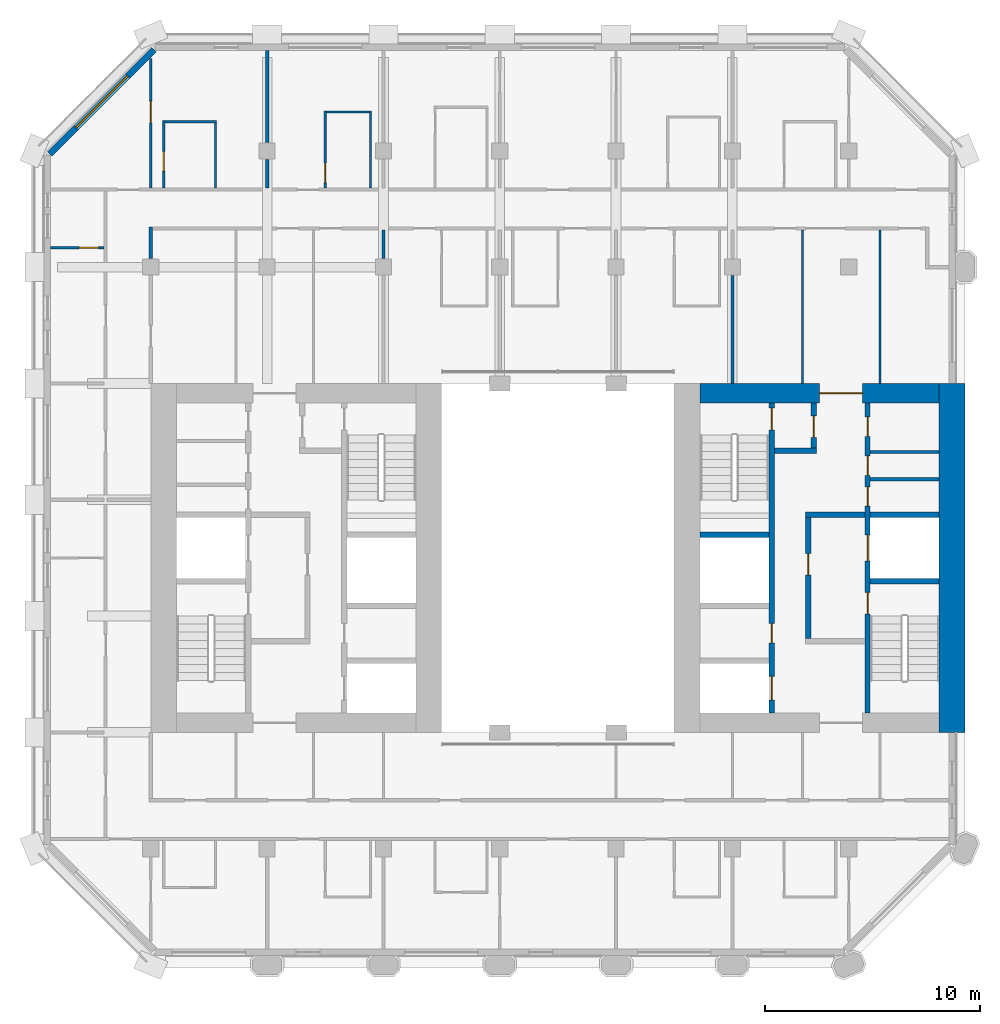
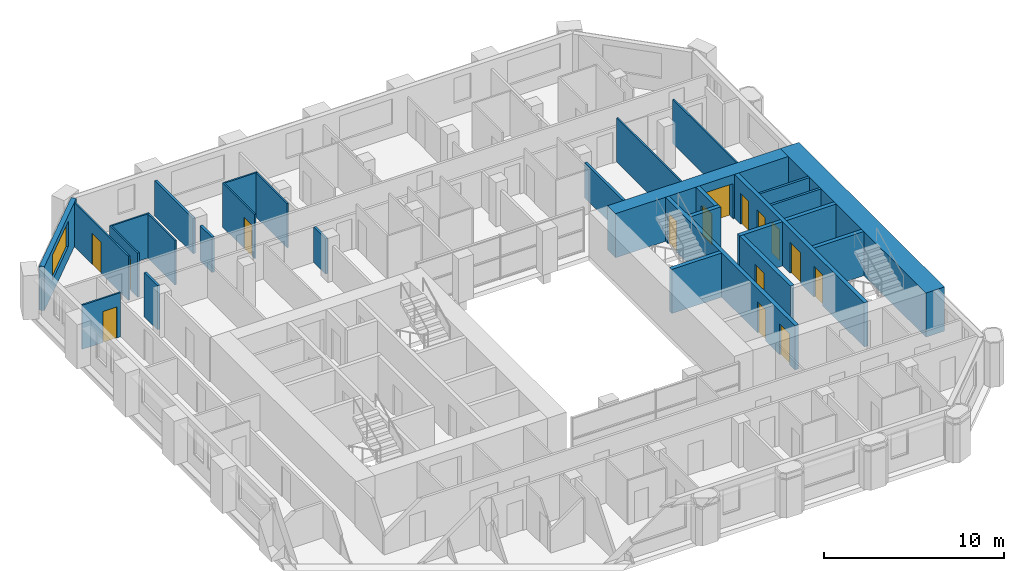
# One storey, part 9 of 13: 29 walls, 15 doors, 1 window, 16 openings.
"""IFC4 building model written with IfcOpenShell, lengths in metres."""

from ifc_helpers import new_model, si_unit, direction, frame, frame_2d, origin, place, context, subcontext, project, spatial, rectangle, extrude, material, layer, layer_set, type_object, element, fill, save


model = new_model("IFC4")

# Units and contexts
model_context = context("Model", 3, precision=1e-05, world=origin(), true_north=direction((0.0, 1.0)))
body_context = subcontext(model_context, "Body", "Model", "MODEL_VIEW")
ifc_project = project(units=[si_unit("LENGTHUNIT", "METRE"), si_unit("AREAUNIT", "SQUARE_METRE"), si_unit("VOLUMEUNIT", "CUBIC_METRE"), si_unit("PLANEANGLEUNIT", "RADIAN"), si_unit("MASSUNIT", "GRAM", prefix="KILO")], contexts=[model_context])

# Site, building, storey
site_placement = place(None, origin())
site = spatial("IfcSite", under=ifc_project, at=site_placement, CompositionType="ELEMENT")
building_placement = place(site_placement, origin())
building = spatial("IfcBuilding", under=site, at=building_placement, Name="Tabaq Tower and Sports Hall", CompositionType="ELEMENT")
storey_placement = place(building_placement, frame((0.0, 0.0, 220.300048828125)))
storey = spatial("IfcBuildingStorey", under=building, at=storey_placement, Name="L55", CompositionType="ELEMENT", Elevation=220.300048828125)

# Walls
ifc_material_1 = material(Name="Blockwork", Category="masonry")
ifc_layer_1 = layer(ifc_material_1, 0.14990234375)
ifc_layer_set_1 = layer_set([ifc_layer_1], Name="Core room partition 150 Blockwork")
wall_type_1 = type_object("IfcWallType", Name="Core room partition 150 Blockwork", PredefinedType="PARTITIONING", material=ifc_layer_set_1)
for number, where, z_axis, x_axis, name in (
    (1, (38.800048828125, 27.947998046875, 0.0), (0.0, 0.0, 1.0), (1.0, 0.0, 0.0), "Core room partition E L55"),
    (2, (38.800048828125, 29.217041015625, 0.0), (0.0, 0.0, 1.0), (1.0, 0.0, 0.0), "Core room partition E L55"),
):
    element("IfcWall", number, at=place(storey_placement, frame(where, z_axis=z_axis, x_axis=x_axis)), inside=storey, type_object=wall_type_1, Name=name, PredefinedType="PARTITIONING", context=body_context, shape_type="SweptSolid", body=[
        extrude(rectangle(XDim=3.199951171875, YDim=0.14990234375, at=frame_2d((1.60009765625, 0.0))), origin(), (0.0, 0.0, 1.0), 3.0),
    ])
ifc_material_2 = material(Name="Concrete C50/60", Category="concrete")
ifc_layer_2 = layer(ifc_material_2, 1.199951171875)
ifc_layer_set_2 = layer_set([ifc_layer_2], Name="Core wall 1200 Concrete C50/60")
wall_type_2 = type_object("IfcWallType", Name="Core wall 1200 Concrete C50/60", PredefinedType="SOLIDWALL", material=ifc_layer_set_2)
wall_1_placement = place(storey_placement, frame((42.60009765625, 32.39990234375, 0.0), z_axis=(0.0, 0.0, 1.0), x_axis=(0.0, -1.0, 0.0)))
element("IfcWall", 3, at=wall_1_placement, inside=storey, type_object=wall_type_2, Name="Core wall E L55", PredefinedType="SOLIDWALL", context=body_context, shape_type="SweptSolid", body=[
    extrude(rectangle(XDim=16.199951171875, YDim=1.199951171875, at=frame_2d((8.10009765625, 0.0))), origin(), (0.0, 0.0, 1.0), 3.0),
])

# Wall, opening, door
ifc_material_3 = material(Name="Concrete C50/60", Category="concrete")
ifc_layer_3 = layer(ifc_material_3, 0.89990234375)
ifc_layer_set_3 = layer_set([ifc_layer_3], Name="Core wall 900 Concrete C50/60")
wall_type_3 = type_object("IfcWallType", Name="Core wall 900 Concrete C50/60", PredefinedType="SOLIDWALL", material=ifc_layer_set_3)
wall_2_placement = place(storey_placement, frame((30.89990234375, 31.949951171875, 0.0), z_axis=(0.0, 0.0, 1.0), x_axis=(1.0, 0.0, 0.0)))
wall_2 = element("IfcWall", 4, at=wall_2_placement, inside=storey, type_object=wall_type_3, Name="Core wall E L55", PredefinedType="SOLIDWALL", context=body_context, shape_type="SweptSolid", body=[
    extrude(rectangle(XDim=11.10009765625, YDim=0.89990234375, at=frame_2d((5.550048828125, 0.0))), origin(), (0.0, 0.0, 1.0), 3.0),
])
opening_1_placement = place(wall_2_placement, frame((5.550048828125, 0.0, 0.0)))
opening_1 = element("IfcOpeningElement", 5, at=opening_1_placement, cuts=wall_2, Name="Opening PD-EL55-02", PredefinedType="OPENING", context=body_context, shape_type="SweptSolid", body=[
    extrude(rectangle(XDim=2.0, YDim=2.39990234375, at=frame_2d((1.0, 1.199951171875))), frame((0.0, 0.449951171875, 0.0), z_axis=(0.0, -1.0, 0.0), x_axis=(1.0, 0.0, 0.0)), (0.0, 0.0, 1.0), 0.89990234375),
])
ifc_material_4 = material(Name="Steel fire door", Category="steel")
door_type_1 = type_object("IfcDoorType", Name="Core entrance door 2000", OperationType="DOUBLE_DOOR_SINGLE_SWING", PredefinedType="DOOR", material=ifc_material_4)
door_1_placement = place(opening_1_placement, origin())
door_1 = element("IfcDoor", 6, at=door_1_placement, inside=storey, type_object=door_type_1, Name="Core entrance north E L55", OperationType="DOUBLE_DOOR_SINGLE_SWING", OverallHeight=2.39990234375, OverallWidth=2.0, PredefinedType="DOOR", context=body_context, shape_type="SweptSolid", body=[
    extrude(rectangle(XDim=2.0, YDim=2.39990234375, at=frame_2d((1.0, 1.199951171875))), frame((0.0, 0.02490234375, 0.0), z_axis=(0.0, -1.0, 0.0), x_axis=(1.0, 0.0, 0.0)), (0.0, 0.0, 1.0), 0.050048828125),
])
fill(opening_1, door_1)

ifc_material_5 = material(Name="Gypsum board on steel studs", Category="steel")
ifc_layer_4 = layer(ifc_material_5, 0.10009765625)
ifc_layer_set_4 = layer_set([ifc_layer_4], Name="Partition 100 Gypsum board")
wall_type_4 = type_object("IfcWallType", Name="Partition 100 Gypsum board", PredefinedType="PARTITIONING", material=ifc_layer_set_4)
wall_3_placement = place(storey_placement, frame((3.22509765625, 38.699951171875, 0.0), z_axis=(0.0, 0.0, 1.0), x_axis=(-1.0, 0.0, 0.0)))
wall_3 = element("IfcWall", 7, at=wall_3_placement, inside=storey, type_object=wall_type_4, Name="Partition wall L55", PredefinedType="PARTITIONING", context=body_context, shape_type="SweptSolid", body=[
    extrude(rectangle(XDim=2.47412109375, YDim=0.10009765625, at=frame_2d((1.237060546875, 0.0))), origin(), (0.0, 0.0, 1.0), 3.0),
])
opening_2_placement = place(wall_3_placement, frame((0.25, 0.0, 0.0)))
opening_2 = element("IfcOpeningElement", 8, at=opening_2_placement, cuts=wall_3, Name="Opening L55-004", PredefinedType="OPENING", context=body_context, shape_type="SweptSolid", body=[
    extrude(rectangle(XDim=0.89990234375, YDim=2.10009765625, at=frame_2d((0.449951171875, 1.050048828125))), frame((0.0, 0.050048828125, 0.0), z_axis=(0.0, -1.0, 0.0), x_axis=(1.0, 0.0, 0.0)), (0.0, 0.0, 1.0), 0.10009765625),
])
ifc_material_6 = material(Name="Timber leaf in steel frame", Category="steel")
door_type_2 = type_object("IfcDoorType", Name="Internal door 900 left hand", OperationType="SINGLE_SWING_LEFT", PredefinedType="DOOR", material=ifc_material_6)
door_2_placement = place(opening_2_placement, origin())
door_2 = element("IfcDoor", 9, at=door_2_placement, inside=storey, type_object=door_type_2, Name="Internal door L55-004", OperationType="SINGLE_SWING_LEFT", OverallHeight=2.10009765625, OverallWidth=0.89990234375, PredefinedType="DOOR", context=body_context, shape_type="SweptSolid", body=[
    extrude(rectangle(XDim=0.89990234375, YDim=2.10009765625, at=frame_2d((0.449951171875, 1.050048828125))), frame((0.0, 0.02490234375, 0.0), z_axis=(0.0, -1.0, 0.0), x_axis=(1.0, 0.0, 0.0)), (0.0, 0.0, 1.0), 0.050048828125),
])
fill(opening_2, door_2)

wall_4_placement = place(storey_placement, frame((13.5, 41.47509765625, 0.0), z_axis=(0.0, 0.0, 1.0), x_axis=(0.0, 1.0, 0.0)))
wall_4 = element("IfcWall", 10, at=wall_4_placement, inside=storey, type_object=wall_type_4, Name="Partition wall L55", PredefinedType="PARTITIONING", context=body_context, shape_type="SweptSolid", body=[
    extrude(rectangle(XDim=3.574951171875, YDim=0.10009765625, at=frame_2d((1.78759765625, 0.0))), origin(), (0.0, 0.0, 1.0), 3.0),
])
opening_3_placement = place(wall_4_placement, frame((0.25, 0.0, 0.0)))
opening_3 = element("IfcOpeningElement", 11, at=opening_3_placement, cuts=wall_4, Name="Opening L55-008", PredefinedType="OPENING", context=body_context, shape_type="SweptSolid", body=[
    extrude(rectangle(XDim=0.89990234375, YDim=2.10009765625, at=frame_2d((0.449951171875, 1.050048828125))), frame((0.0, 0.050048828125, 0.0), z_axis=(0.0, -1.0, 0.0), x_axis=(1.0, 0.0, 0.0)), (0.0, 0.0, 1.0), 0.10009765625),
])
ifc_material_7 = material(Name="Timber leaf in steel frame", Category="steel")
door_type_3 = type_object("IfcDoorType", Name="Internal door 900 right hand", OperationType="SINGLE_SWING_RIGHT", PredefinedType="DOOR", material=ifc_material_7)
door_3_placement = place(opening_3_placement, origin())
door_3 = element("IfcDoor", 12, at=door_3_placement, inside=storey, type_object=door_type_3, Name="Internal door L55-008", OperationType="SINGLE_SWING_RIGHT", OverallHeight=2.10009765625, OverallWidth=0.89990234375, PredefinedType="DOOR", context=body_context, shape_type="SweptSolid", body=[
    extrude(rectangle(XDim=0.89990234375, YDim=2.10009765625, at=frame_2d((0.449951171875, 1.050048828125))), frame((0.0, 0.02490234375, 0.0), z_axis=(0.0, -1.0, 0.0), x_axis=(1.0, 0.0, 0.0)), (0.0, 0.0, 1.0), 0.050048828125),
])
fill(opening_3, door_3)

# Walls
wall_5_placement = place(storey_placement, frame((13.550048828125, 45.0, 0.0), z_axis=(0.0, 0.0, 1.0), x_axis=(1.0, 0.0, 0.0)))
element("IfcWall", 13, at=wall_5_placement, inside=storey, type_object=wall_type_4, Name="Partition wall L55", PredefinedType="PARTITIONING", context=body_context, shape_type="SweptSolid", body=[
    extrude(rectangle(XDim=2.099853515625, YDim=0.10009765625, at=frame_2d((1.0498046875, 0.0))), origin(), (0.0, 0.0, 1.0), 3.0),
])
wall_6_placement = place(storey_placement, frame((15.60009765625, 44.949951171875, 0.0), z_axis=(0.0, 0.0, 1.0), x_axis=(0.0, -1.0, 0.0)))
element("IfcWall", 14, at=wall_6_placement, inside=storey, type_object=wall_type_4, Name="Partition wall L55", PredefinedType="PARTITIONING", context=body_context, shape_type="SweptSolid", body=[
    extrude(rectangle(XDim=3.474853515625, YDim=0.10009765625, at=frame_2d((1.7373046875, 0.0))), origin(), (0.0, 0.0, 1.0), 3.0),
])

# Wall, opening, door
wall_7_placement = place(storey_placement, frame((5.39990234375, 47.48779296875, 0.0), z_axis=(0.0, 0.0, 1.0), x_axis=(0.0, -1.0, 0.0)))
wall_7 = element("IfcWall", 15, at=wall_7_placement, inside=storey, type_object=wall_type_4, Name="Partition wall L55", PredefinedType="PARTITIONING", context=body_context, shape_type="SweptSolid", body=[
    extrude(rectangle(XDim=6.0126953125, YDim=0.10009765625, at=frame_2d((3.00634765625, 0.0))), origin(), (0.0, 0.0, 1.0), 3.0),
])
opening_4_placement = place(wall_7_placement, frame((1.98779296875, 0.0, 0.0)))
opening_4 = element("IfcOpeningElement", 16, at=opening_4_placement, cuts=wall_7, Name="Opening L55-037", PredefinedType="OPENING", context=body_context, shape_type="SweptSolid", body=[
    extrude(rectangle(XDim=1.0, YDim=2.10009765625, at=frame_2d((0.5, 1.050048828125))), frame((0.0, 0.050048828125, 0.0), z_axis=(0.0, -1.0, 0.0), x_axis=(1.0, 0.0, 0.0)), (0.0, 0.0, 1.0), 0.10009765625),
])
ifc_material_8 = material(Name="Timber leaf in steel frame", Category="steel")
door_type_4 = type_object("IfcDoorType", Name="Internal door 1000 right hand", OperationType="SINGLE_SWING_RIGHT", PredefinedType="DOOR", material=ifc_material_8)
door_4_placement = place(opening_4_placement, origin())
door_4 = element("IfcDoor", 17, at=door_4_placement, inside=storey, type_object=door_type_4, Name="Internal door L55-037", OperationType="SINGLE_SWING_RIGHT", OverallHeight=2.10009765625, OverallWidth=1.0, PredefinedType="DOOR", context=body_context, shape_type="SweptSolid", body=[
    extrude(rectangle(XDim=1.0, YDim=2.10009765625, at=frame_2d((0.5, 1.050048828125))), frame((0.0, 0.02490234375, 0.0), z_axis=(0.0, -1.0, 0.0), x_axis=(1.0, 0.0, 0.0)), (0.0, 0.0, 1.0), 0.050048828125),
])
fill(opening_4, door_4)

wall_8_placement = place(storey_placement, frame((6.0, 41.47509765625, 0.0), z_axis=(0.0, 0.0, 1.0), x_axis=(0.0, 1.0, 0.0)))
wall_8 = element("IfcWall", 18, at=wall_8_placement, inside=storey, type_object=wall_type_4, Name="Partition wall L55", PredefinedType="PARTITIONING", context=body_context, shape_type="SweptSolid", body=[
    extrude(rectangle(XDim=3.125, YDim=0.10009765625, at=frame_2d((1.5625, 0.0))), origin(), (0.0, 0.0, 1.0), 3.0),
])
opening_5_placement = place(wall_8_placement, frame((0.78759765625, 0.0, 0.0)))
opening_5 = element("IfcOpeningElement", 19, at=opening_5_placement, cuts=wall_8, Name="Opening L55-009", PredefinedType="OPENING", context=body_context, shape_type="SweptSolid", body=[
    extrude(rectangle(XDim=0.89990234375, YDim=2.10009765625, at=frame_2d((0.449951171875, 1.050048828125))), frame((0.0, 0.050048828125, 0.0), z_axis=(0.0, -1.0, 0.0), x_axis=(1.0, 0.0, 0.0)), (0.0, 0.0, 1.0), 0.10009765625),
])
door_5_placement = place(opening_5_placement, origin())
door_5 = element("IfcDoor", 20, at=door_5_placement, inside=storey, type_object=door_type_3, Name="Internal door L55-009", OperationType="SINGLE_SWING_RIGHT", OverallHeight=2.10009765625, OverallWidth=0.89990234375, PredefinedType="DOOR", context=body_context, shape_type="SweptSolid", body=[
    extrude(rectangle(XDim=0.89990234375, YDim=2.10009765625, at=frame_2d((0.449951171875, 1.050048828125))), frame((0.0, 0.02490234375, 0.0), z_axis=(0.0, -1.0, 0.0), x_axis=(1.0, 0.0, 0.0)), (0.0, 0.0, 1.0), 0.050048828125),
])
fill(opening_5, door_5)

# Walls
wall_9_placement = place(storey_placement, frame((6.050048828125, 44.550048828125, 0.0), z_axis=(0.0, 0.0, 1.0), x_axis=(1.0, 0.0, 0.0)))
element("IfcWall", 21, at=wall_9_placement, inside=storey, type_object=wall_type_4, Name="Partition wall L55", PredefinedType="PARTITIONING", context=body_context, shape_type="SweptSolid", body=[
    extrude(rectangle(XDim=2.39990234375, YDim=0.10009765625, at=frame_2d((1.199951171875, 0.0))), origin(), (0.0, 0.0, 1.0), 3.0),
])
wall_10_placement = place(storey_placement, frame((8.39990234375, 44.5, 0.0), z_axis=(0.0, 0.0, 1.0), x_axis=(0.0, -1.0, 0.0)))
element("IfcWall", 22, at=wall_10_placement, inside=storey, type_object=wall_type_4, Name="Partition wall L55", PredefinedType="PARTITIONING", context=body_context, shape_type="SweptSolid", body=[
    extrude(rectangle(XDim=3.02490234375, YDim=0.10009765625, at=frame_2d((1.512451171875, 0.0))), origin(), (0.0, 0.0, 1.0), 3.0),
])
for number, where, z_axis, x_axis, name in (
    (23, (39.25, 32.39990234375, 0.0), (0.0, 0.0, 1.0), (0.0, 1.0, 0.0), "Partition wall L55"),
    (24, (35.64990234375, 39.52490234375, 0.0), (0.0, 0.0, 1.0), (0.0, -1.0, 0.0), "Partition wall L55"),
):
    element("IfcWall", number, at=place(storey_placement, frame(where, z_axis=z_axis, x_axis=x_axis)), inside=storey, type_object=wall_type_4, Name=name, PredefinedType="PARTITIONING", context=body_context, shape_type="SweptSolid", body=[
        extrude(rectangle(XDim=7.125, YDim=0.10009765625, at=frame_2d((3.5625, 0.0))), origin(), (0.0, 0.0, 1.0), 3.0),
    ])
ifc_material_9 = material(Name="Blockwork", Category="masonry")
ifc_layer_5 = layer(ifc_material_9, 0.14990234375)
ifc_layer_set_5 = layer_set([ifc_layer_5], Name="Separating wall 150 Blockwork")
wall_type_5 = type_object("IfcWallType", Name="Separating wall 150 Blockwork", PredefinedType="PARTITIONING", material=ifc_layer_set_5)
wall_11_placement = place(storey_placement, frame((32.39990234375, 32.39990234375, 0.0), z_axis=(0.0, 0.0, 1.0), x_axis=(0.0, 1.0, 0.0)))
element("IfcWall", 25, at=wall_11_placement, inside=storey, type_object=wall_type_5, Name="Separating wall L55", PredefinedType="PARTITIONING", context=body_context, shape_type="SweptSolid", body=[
    extrude(rectangle(XDim=5.005126953125, YDim=0.14990234375, at=frame_2d((2.50244140625, 0.0))), origin(), (0.0, 0.0, 1.0), 2.39990234375),
])
wall_12_placement = place(storey_placement, frame((16.199951171875, 39.52490234375, 0.0), z_axis=(0.0, 0.0, 1.0), x_axis=(0.0, -1.0, 0.0)))
element("IfcWall", 26, at=wall_12_placement, inside=storey, type_object=wall_type_5, Name="Separating wall L55", PredefinedType="PARTITIONING", context=body_context, shape_type="SweptSolid", body=[
    extrude(rectangle(XDim=1.329833984375, YDim=0.14990234375, at=frame_2d((0.6650390625, 0.0))), origin(), (0.0, 0.0, 1.0), 2.39990234375),
])
wall_13_placement = place(storey_placement, frame((10.800048828125, 47.84912109375, 0.0), z_axis=(0.0, 0.0, 1.0), x_axis=(0.0, -1.0, 0.0)))
element("IfcWall", 27, at=wall_13_placement, inside=storey, type_object=wall_type_5, Name="Separating wall L55", PredefinedType="PARTITIONING", context=body_context, shape_type="SweptSolid", body=[
    extrude(rectangle(XDim=4.254150390625, YDim=0.14990234375, at=frame_2d((2.126953125, 0.0))), origin(), (0.0, 0.0, 1.0), 2.39990234375),
])
wall_14_placement = place(storey_placement, frame((10.800048828125, 42.804931640625, 0.0), z_axis=(0.0, 0.0, 1.0), x_axis=(0.0, -1.0, 0.0)))
element("IfcWall", 28, at=wall_14_placement, inside=storey, type_object=wall_type_5, Name="Separating wall L55", PredefinedType="PARTITIONING", context=body_context, shape_type="SweptSolid", body=[
    extrude(rectangle(XDim=1.329833984375, YDim=0.14990234375, at=frame_2d((0.6650390625, 0.0))), origin(), (0.0, 0.0, 1.0), 2.39990234375),
])
wall_15_placement = place(storey_placement, frame((5.39990234375, 38.195068359375, 0.0), z_axis=(0.0, 0.0, 1.0), x_axis=(0.0, 1.0, 0.0)))
element("IfcWall", 29, at=wall_15_placement, inside=storey, type_object=wall_type_5, Name="Separating wall L55", PredefinedType="PARTITIONING", context=body_context, shape_type="SweptSolid", body=[
    extrude(rectangle(XDim=1.47998046875, YDim=0.14990234375, at=frame_2d((0.739990234375, 0.0))), origin(), (0.0, 0.0, 1.0), 3.0),
])

# Wall, openings, doors
ifc_material_10 = material(Name="Concrete C40/50", Category="concrete")
ifc_layer_6 = layer(ifc_material_10, 0.25)
ifc_layer_set_6 = layer_set([ifc_layer_6], Name="Shaft and stair wall 250 Concrete C40/50")
wall_type_6 = type_object("IfcWallType", Name="Shaft and stair wall 250 Concrete C40/50", PredefinedType="SOLIDWALL", material=ifc_layer_set_6)
wall_16_placement = place(storey_placement, frame((38.675048828125, 17.10009765625, 0.0), z_axis=(0.0, 0.0, 1.0), x_axis=(0.0, 1.0, 0.0)))
wall_16 = element("IfcWall", 30, at=wall_16_placement, inside=storey, type_object=wall_type_6, Name="Shaft wall E L55", PredefinedType="SOLIDWALL", context=body_context, shape_type="SweptSolid", body=[
    extrude(rectangle(XDim=14.39990234375, YDim=0.25, at=frame_2d((7.199951171875, 0.0))), origin(), (0.0, 0.0, 1.0), 3.0),
])
opening_6_placement = place(wall_16_placement, frame((4.60009765625, 0.0, 0.0)))
opening_6 = element("IfcOpeningElement", 31, at=opening_6_placement, cuts=wall_16, Name="Opening SD-EL55-03", PredefinedType="OPENING", context=body_context, shape_type="SweptSolid", body=[
    extrude(rectangle(XDim=1.0, YDim=2.10009765625, at=frame_2d((0.5, 1.050048828125))), frame((0.0, 0.125, 0.0), z_axis=(0.0, -1.0, 0.0), x_axis=(1.0, 0.0, 0.0)), (0.0, 0.0, 1.0), 0.25),
])
opening_7_placement = place(wall_16_placement, frame((7.0625, 0.0, 0.0)))
opening_7 = element("IfcOpeningElement", 32, at=opening_7_placement, cuts=wall_16, Name="Opening LD-FF2-L55", PredefinedType="OPENING", context=body_context, shape_type="SweptSolid", body=[
    extrude(rectangle(XDim=1.199951171875, YDim=2.10009765625, at=frame_2d((0.60009765625, 1.050048828125))), frame((0.0, 0.125, 0.0), z_axis=(0.0, -1.0, 0.0), x_axis=(1.0, 0.0, 0.0)), (0.0, 0.0, 1.0), 0.25),
])
opening_8_placement = place(wall_16_placement, frame((9.59912109375, 0.0, 0.0)))
opening_8 = element("IfcOpeningElement", 33, at=opening_8_placement, cuts=wall_16, Name="Opening RD-EL55-09", PredefinedType="OPENING", context=body_context, shape_type="SweptSolid", body=[
    extrude(rectangle(XDim=0.89990234375, YDim=2.10009765625, at=frame_2d((0.449951171875, 1.050048828125))), frame((0.0, 0.125, 0.0), z_axis=(0.0, -1.0, 0.0), x_axis=(1.0, 0.0, 0.0)), (0.0, 0.0, 1.0), 0.25),
])
opening_9_placement = place(wall_16_placement, frame((11.032470703125, 0.0, 0.0)))
opening_9 = element("IfcOpeningElement", 34, at=opening_9_placement, cuts=wall_16, Name="Opening RD-EL55-10", PredefinedType="OPENING", context=body_context, shape_type="SweptSolid", body=[
    extrude(rectangle(XDim=0.89990234375, YDim=2.10009765625, at=frame_2d((0.449951171875, 1.050048828125))), frame((0.0, 0.125, 0.0), z_axis=(0.0, -1.0, 0.0), x_axis=(1.0, 0.0, 0.0)), (0.0, 0.0, 1.0), 0.25),
])
opening_10_placement = place(wall_16_placement, frame((12.845947265625, 0.0, 0.0)))
opening_10 = element("IfcOpeningElement", 35, at=opening_10_placement, cuts=wall_16, Name="Opening RD-EL55-11", PredefinedType="OPENING", context=body_context, shape_type="SweptSolid", body=[
    extrude(rectangle(XDim=0.89990234375, YDim=2.10009765625, at=frame_2d((0.449951171875, 1.050048828125))), frame((0.0, 0.125, 0.0), z_axis=(0.0, -1.0, 0.0), x_axis=(1.0, 0.0, 0.0)), (0.0, 0.0, 1.0), 0.25),
])
ifc_material_11 = material(Name="Steel fire door", Category="steel")
door_type_5 = type_object("IfcDoorType", Name="Core room door 900", OperationType="SINGLE_SWING_LEFT", PredefinedType="DOOR", material=ifc_material_11)
door_6_placement = place(opening_8_placement, origin())
door_6 = element("IfcDoor", 36, at=door_6_placement, inside=storey, type_object=door_type_5, Name="Door Accessible WC E L55", OperationType="SINGLE_SWING_LEFT", OverallHeight=2.10009765625, OverallWidth=0.89990234375, PredefinedType="DOOR", context=body_context, shape_type="SweptSolid", body=[
    extrude(rectangle(XDim=0.89990234375, YDim=2.10009765625, at=frame_2d((0.449951171875, 1.050048828125))), frame((0.0, 0.02490234375, 0.0), z_axis=(0.0, -1.0, 0.0), x_axis=(1.0, 0.0, 0.0)), (0.0, 0.0, 1.0), 0.050048828125),
])
fill(opening_8, door_6)
door_7_placement = place(opening_9_placement, origin())
door_7 = element("IfcDoor", 37, at=door_7_placement, inside=storey, type_object=door_type_5, Name="Door Electrical Riser Room E L55", OperationType="SINGLE_SWING_LEFT", OverallHeight=2.10009765625, OverallWidth=0.89990234375, PredefinedType="DOOR", context=body_context, shape_type="SweptSolid", body=[
    extrude(rectangle(XDim=0.89990234375, YDim=2.10009765625, at=frame_2d((0.449951171875, 1.050048828125))), frame((0.0, 0.02490234375, 0.0), z_axis=(0.0, -1.0, 0.0), x_axis=(1.0, 0.0, 0.0)), (0.0, 0.0, 1.0), 0.050048828125),
])
fill(opening_9, door_7)
door_8_placement = place(opening_10_placement, origin())
door_8 = element("IfcDoor", 38, at=door_8_placement, inside=storey, type_object=door_type_5, Name="Door Unisex WC E L55", OperationType="SINGLE_SWING_LEFT", OverallHeight=2.10009765625, OverallWidth=0.89990234375, PredefinedType="DOOR", context=body_context, shape_type="SweptSolid", body=[
    extrude(rectangle(XDim=0.89990234375, YDim=2.10009765625, at=frame_2d((0.449951171875, 1.050048828125))), frame((0.0, 0.02490234375, 0.0), z_axis=(0.0, -1.0, 0.0), x_axis=(1.0, 0.0, 0.0)), (0.0, 0.0, 1.0), 0.050048828125),
])
fill(opening_10, door_8)
ifc_material_12 = material(Name="Stainless steel", Category="steel")
door_type_6 = type_object("IfcDoorType", Name="Lift landing door 1200", OperationType="DOUBLE_DOOR_SLIDING", PredefinedType="DOOR", material=ifc_material_12)
door_9_placement = place(opening_7_placement, origin())
door_9 = element("IfcDoor", 39, at=door_9_placement, inside=storey, type_object=door_type_6, Name="Lift landing door FF2 E L55", OperationType="DOUBLE_DOOR_SLIDING", OverallHeight=2.10009765625, OverallWidth=1.199951171875, PredefinedType="DOOR", context=body_context, shape_type="SweptSolid", body=[
    extrude(rectangle(XDim=1.199951171875, YDim=2.10009765625, at=frame_2d((0.60009765625, 1.050048828125))), frame((0.0, 0.02490234375, 0.0), z_axis=(0.0, -1.0, 0.0), x_axis=(1.0, 0.0, 0.0)), (0.0, 0.0, 1.0), 0.050048828125),
])
fill(opening_7, door_9)
ifc_material_13 = material(Name="Steel fire door", Category="steel")
door_type_7 = type_object("IfcDoorType", Name="Stair door 1000", OperationType="SINGLE_SWING_LEFT", PredefinedType="DOOR", material=ifc_material_13)
door_10_placement = place(opening_6_placement, origin())
door_10 = element("IfcDoor", 40, at=door_10_placement, inside=storey, type_object=door_type_7, Name="Stair door ST3 E L55", OperationType="SINGLE_SWING_LEFT", OverallHeight=2.10009765625, OverallWidth=1.0, PredefinedType="DOOR", context=body_context, shape_type="SweptSolid", body=[
    extrude(rectangle(XDim=1.0, YDim=2.10009765625, at=frame_2d((0.5, 1.050048828125))), frame((0.0, 0.02490234375, 0.0), z_axis=(0.0, -1.0, 0.0), x_axis=(1.0, 0.0, 0.0)), (0.0, 0.0, 1.0), 0.050048828125),
])
fill(opening_6, door_10)

wall_17_placement = place(storey_placement, frame((34.22509765625, 17.10009765625, 0.0), z_axis=(0.0, 0.0, 1.0), x_axis=(0.0, 1.0, 0.0)))
wall_17 = element("IfcWall", 41, at=wall_17_placement, inside=storey, type_object=wall_type_6, Name="Shaft wall E L55", PredefinedType="SOLIDWALL", context=body_context, shape_type="SweptSolid", body=[
    extrude(rectangle(XDim=14.39990234375, YDim=0.25, at=frame_2d((7.199951171875, 0.0))), origin(), (0.0, 0.0, 1.0), 3.0),
])
opening_11_placement = place(wall_17_placement, frame((13.14990234375, 0.0, 0.0)))
opening_11 = element("IfcOpeningElement", 42, at=opening_11_placement, cuts=wall_17, Name="Opening SD-EL55-05", PredefinedType="OPENING", context=body_context, shape_type="SweptSolid", body=[
    extrude(rectangle(XDim=1.0, YDim=2.10009765625, at=frame_2d((0.5, 1.050048828125))), frame((0.0, 0.125, 0.0), z_axis=(0.0, -1.0, 0.0), x_axis=(1.0, 0.0, 0.0)), (0.0, 0.0, 1.0), 0.25),
])
opening_12_placement = place(wall_17_placement, frame((0.60009765625, 0.0, 0.0)))
opening_12 = element("IfcOpeningElement", 43, at=opening_12_placement, cuts=wall_17, Name="Opening LD-MR2-L55", PredefinedType="OPENING", context=body_context, shape_type="SweptSolid", body=[
    extrude(rectangle(XDim=1.10009765625, YDim=2.10009765625, at=frame_2d((0.550048828125, 1.050048828125))), frame((0.0, 0.125, 0.0), z_axis=(0.0, -1.0, 0.0), x_axis=(1.0, 0.0, 0.0)), (0.0, 0.0, 1.0), 0.25),
])
opening_13_placement = place(wall_17_placement, frame((3.25, 0.0, 0.0)))
opening_13 = element("IfcOpeningElement", 44, at=opening_13_placement, cuts=wall_17, Name="Opening RD-EL55-12", PredefinedType="OPENING", context=body_context, shape_type="SweptSolid", body=[
    extrude(rectangle(XDim=0.89990234375, YDim=2.10009765625, at=frame_2d((0.449951171875, 1.050048828125))), frame((0.0, 0.125, 0.0), z_axis=(0.0, -1.0, 0.0), x_axis=(1.0, 0.0, 0.0)), (0.0, 0.0, 1.0), 0.25),
])
door_11_placement = place(opening_13_placement, origin())
door_11 = element("IfcDoor", 45, at=door_11_placement, inside=storey, type_object=door_type_5, Name="Door Cleaner's Store E L55", OperationType="SINGLE_SWING_LEFT", OverallHeight=2.10009765625, OverallWidth=0.89990234375, PredefinedType="DOOR", context=body_context, shape_type="SweptSolid", body=[
    extrude(rectangle(XDim=0.89990234375, YDim=2.10009765625, at=frame_2d((0.449951171875, 1.050048828125))), frame((0.0, 0.02490234375, 0.0), z_axis=(0.0, -1.0, 0.0), x_axis=(1.0, 0.0, 0.0)), (0.0, 0.0, 1.0), 0.050048828125),
])
fill(opening_13, door_11)
ifc_material_14 = material(Name="Stainless steel", Category="steel")
door_type_8 = type_object("IfcDoorType", Name="Lift landing door 1100", OperationType="DOUBLE_DOOR_SLIDING", PredefinedType="DOOR", material=ifc_material_14)
door_12_placement = place(opening_12_placement, origin())
door_12 = element("IfcDoor", 46, at=door_12_placement, inside=storey, type_object=door_type_8, Name="Lift landing door MR2 E L55", OperationType="DOUBLE_DOOR_SLIDING", OverallHeight=2.10009765625, OverallWidth=1.10009765625, PredefinedType="DOOR", context=body_context, shape_type="SweptSolid", body=[
    extrude(rectangle(XDim=1.10009765625, YDim=2.10009765625, at=frame_2d((0.550048828125, 1.050048828125))), frame((0.0, 0.02490234375, 0.0), z_axis=(0.0, -1.0, 0.0), x_axis=(1.0, 0.0, 0.0)), (0.0, 0.0, 1.0), 0.050048828125),
])
fill(opening_12, door_12)
door_13_placement = place(opening_11_placement, origin())
door_13 = element("IfcDoor", 47, at=door_13_placement, inside=storey, type_object=door_type_7, Name="Stair door ST4 E L55", OperationType="SINGLE_SWING_LEFT", OverallHeight=2.10009765625, OverallWidth=1.0, PredefinedType="DOOR", context=body_context, shape_type="SweptSolid", body=[
    extrude(rectangle(XDim=1.0, YDim=2.10009765625, at=frame_2d((0.5, 1.050048828125))), frame((0.0, 0.02490234375, 0.0), z_axis=(0.0, -1.0, 0.0), x_axis=(1.0, 0.0, 0.0)), (0.0, 0.0, 1.0), 0.050048828125),
])
fill(opening_11, door_13)

# Walls
wall_18_placement = place(storey_placement, frame((38.800048828125, 23.22509765625, 0.0), z_axis=(0.0, 0.0, 1.0), x_axis=(1.0, 0.0, 0.0)))
element("IfcWall", 48, at=wall_18_placement, inside=storey, type_object=wall_type_6, Name="Stair enclosure wall E L55", PredefinedType="SOLIDWALL", context=body_context, shape_type="SweptSolid", body=[
    extrude(rectangle(XDim=3.199951171875, YDim=0.25, at=frame_2d((1.60009765625, 0.0))), origin(), (0.0, 0.0, 1.0), 3.0),
])
wall_19_placement = place(storey_placement, frame((30.89990234375, 25.375, 0.0), z_axis=(0.0, 0.0, 1.0), x_axis=(1.0, 0.0, 0.0)))
element("IfcWall", 49, at=wall_19_placement, inside=storey, type_object=wall_type_6, Name="Stair enclosure wall E L55", PredefinedType="SOLIDWALL", context=body_context, shape_type="SweptSolid", body=[
    extrude(rectangle(XDim=3.2001953125, YDim=0.25, at=frame_2d((1.60009765625, 0.0))), origin(), (0.0, 0.0, 1.0), 3.0),
])
wall_20_placement = place(storey_placement, frame((38.800048828125, 26.300048828125, 0.0), z_axis=(0.0, 0.0, 1.0), x_axis=(1.0, 0.0, 0.0)))
element("IfcWall", 50, at=wall_20_placement, inside=storey, type_object=wall_type_6, Name="Shaft wall E L55", PredefinedType="SOLIDWALL", context=body_context, shape_type="SweptSolid", body=[
    extrude(rectangle(XDim=3.199951171875, YDim=0.25, at=frame_2d((1.60009765625, 0.0))), origin(), (0.0, 0.0, 1.0), 3.0),
])
wall_21_placement = place(storey_placement, frame((35.800048828125, 26.300048828125, 0.0), z_axis=(0.0, 0.0, 1.0), x_axis=(1.0, 0.0, 0.0)))
element("IfcWall", 51, at=wall_21_placement, inside=storey, type_object=wall_type_6, Name="Fire-fighting lobby wall E L55", PredefinedType="SOLIDWALL", context=body_context, shape_type="SweptSolid", body=[
    extrude(rectangle(XDim=2.75, YDim=0.25, at=frame_2d((1.375, 0.0))), origin(), (0.0, 0.0, 1.0), 3.0),
])

# Wall, opening, door
wall_22_placement = place(storey_placement, frame((36.175048828125, 29.39990234375, 0.0), z_axis=(0.0, 0.0, 1.0), x_axis=(0.0, 1.0, 0.0)))
wall_22 = element("IfcWall", 52, at=wall_22_placement, inside=storey, type_object=wall_type_6, Name="Fire-fighting lobby wall E L55", PredefinedType="SOLIDWALL", context=body_context, shape_type="SweptSolid", body=[
    extrude(rectangle(XDim=2.10009765625, YDim=0.25, at=frame_2d((1.050048828125, 0.0))), origin(), (0.0, 0.0, 1.0), 3.0),
])
opening_14_placement = place(wall_22_placement, frame((0.5, 0.0, 0.0)))
opening_14 = element("IfcOpeningElement", 53, at=opening_14_placement, cuts=wall_22, Name="Opening FD-EL55-06", PredefinedType="OPENING", context=body_context, shape_type="SweptSolid", body=[
    extrude(rectangle(XDim=1.0, YDim=2.10009765625, at=frame_2d((0.5, 1.050048828125))), frame((0.0, 0.125, 0.0), z_axis=(0.0, -1.0, 0.0), x_axis=(1.0, 0.0, 0.0)), (0.0, 0.0, 1.0), 0.25),
])
ifc_material_15 = material(Name="Steel fire door", Category="steel")
door_type_9 = type_object("IfcDoorType", Name="Fire-fighting lobby door 1000", OperationType="SINGLE_SWING_LEFT", PredefinedType="DOOR", material=ifc_material_15)
door_14_placement = place(opening_14_placement, origin())
door_14 = element("IfcDoor", 54, at=door_14_placement, inside=storey, type_object=door_type_9, Name="Stair lobby door E L55", OperationType="SINGLE_SWING_LEFT", OverallHeight=2.10009765625, OverallWidth=1.0, PredefinedType="DOOR", context=body_context, shape_type="SweptSolid", body=[
    extrude(rectangle(XDim=1.0, YDim=2.10009765625, at=frame_2d((0.5, 1.050048828125))), frame((0.0, 0.02490234375, 0.0), z_axis=(0.0, -1.0, 0.0), x_axis=(1.0, 0.0, 0.0)), (0.0, 0.0, 1.0), 0.050048828125),
])
fill(opening_14, door_14)

# Wall
wall_23_placement = place(storey_placement, frame((34.35009765625, 29.27490234375, 0.0), z_axis=(0.0, 0.0, 1.0), x_axis=(1.0, 0.0, 0.0)))
element("IfcWall", 55, at=wall_23_placement, inside=storey, type_object=wall_type_6, Name="Fire-fighting lobby wall E L55", PredefinedType="SOLIDWALL", context=body_context, shape_type="SweptSolid", body=[
    extrude(rectangle(XDim=1.949951171875, YDim=0.25, at=frame_2d((0.97509765625, 0.0))), origin(), (0.0, 0.0, 1.0), 3.0),
])

# Wall, opening, door
wall_24_placement = place(storey_placement, frame((35.925048828125, 20.550048828125, 0.0), z_axis=(0.0, 0.0, 1.0), x_axis=(0.0, 1.0, 0.0)))
wall_24 = element("IfcWall", 56, at=wall_24_placement, inside=storey, type_object=wall_type_6, Name="Fire-fighting lobby wall E L55", PredefinedType="SOLIDWALL", context=body_context, shape_type="SweptSolid", body=[
    extrude(rectangle(XDim=5.625, YDim=0.25, at=frame_2d((2.8125, 0.0))), origin(), (0.0, 0.0, 1.0), 3.0),
])
opening_15_placement = place(wall_24_placement, frame((2.949951171875, 0.0, 0.0)))
opening_15 = element("IfcOpeningElement", 57, at=opening_15_placement, cuts=wall_24, Name="Opening FD-EL55-04", PredefinedType="OPENING", context=body_context, shape_type="SweptSolid", body=[
    extrude(rectangle(XDim=1.0, YDim=2.10009765625, at=frame_2d((0.5, 1.050048828125))), frame((0.0, 0.125, 0.0), z_axis=(0.0, -1.0, 0.0), x_axis=(1.0, 0.0, 0.0)), (0.0, 0.0, 1.0), 0.25),
])
door_15_placement = place(opening_15_placement, origin())
door_15 = element("IfcDoor", 58, at=door_15_placement, inside=storey, type_object=door_type_9, Name="Fire-fighting lobby door E L55", OperationType="SINGLE_SWING_LEFT", OverallHeight=2.10009765625, OverallWidth=1.0, PredefinedType="DOOR", context=body_context, shape_type="SweptSolid", body=[
    extrude(rectangle(XDim=1.0, YDim=2.10009765625, at=frame_2d((0.5, 1.050048828125))), frame((0.0, 0.02490234375, 0.0), z_axis=(0.0, -1.0, 0.0), x_axis=(1.0, 0.0, 0.0)), (0.0, 0.0, 1.0), 0.050048828125),
])
fill(opening_15, door_15)

# Wall, opening, window
ifc_material_16 = material(Name="White precast concrete C60/75", Category="concrete")
ifc_layer_7 = layer(ifc_material_16, 0.300048828125)
ifc_layer_set_7 = layer_set([ifc_layer_7], Name="White precast concrete C60/75 external wall 300")
wall_type_7 = type_object("IfcWallType", Name="White precast concrete C60/75 external wall 300", PredefinedType="SOLIDWALL", material=ifc_layer_set_7)
wall_25_placement = place(storey_placement, frame((5.549560546875, 47.901123046875, 0.0), z_axis=(0.0, 0.0, 1.0), x_axis=(-0.707106781187, -0.707106781187, 0.0)))
wall_25 = element("IfcWall", 59, at=wall_25_placement, inside=storey, type_object=wall_type_7, Name="External Wall L55 NW", PredefinedType="SOLIDWALL", context=body_context, shape_type="SweptSolid", body=[
    extrude(rectangle(XDim=6.85986328125, YDim=0.300048828125, at=frame_2d((3.429931640625, 0.0))), origin(), (0.0, 0.0, 1.0), 3.0),
])
opening_16_placement = place(wall_25_placement, frame((1.729736328125, 0.0, 0.89990234375)))
opening_16 = element("IfcOpeningElement", 60, at=opening_16_placement, cuts=wall_25, Name="Opening W1A", PredefinedType="OPENING", context=body_context, shape_type="SweptSolid", body=[
    extrude(rectangle(XDim=3.39990234375, YDim=1.699951171875, at=frame_2d((1.699951171875, 0.85009765625))), frame((0.0, 0.16015625, 0.0), z_axis=(0.0, -1.0, 0.0), x_axis=(1.0, 0.0, 0.0)), (0.0, 0.0, 1.0), 0.320068359375),
])
ifc_material_17 = material(Name="Aluminium framed clear glazing", Category="aluminium")
window_type = type_object("IfcWindowType", Name="Window W1A", PartitioningType="SINGLE_PANEL", PredefinedType="WINDOW", material=ifc_material_17)
window_placement = place(opening_16_placement, origin())
window = element("IfcWindow", 61, at=window_placement, inside=storey, type_object=window_type, Name="Window W1A L55", OverallHeight=1.699951171875, OverallWidth=3.39990234375, PartitioningType="SINGLE_PANEL", PredefinedType="WINDOW", context=body_context, shape_type="SweptSolid", body=[
    extrude(rectangle(XDim=3.39990234375, YDim=1.699951171875, at=frame_2d((1.699951171875, 0.85009765625))), frame((0.0, 0.030029296875, 0.0), z_axis=(0.0, -1.0, 0.0), x_axis=(1.0, 0.0, 0.0)), (0.0, 0.0, 1.0), 0.06005859375),
])
fill(opening_16, window)

save(model, "model.ifc")
